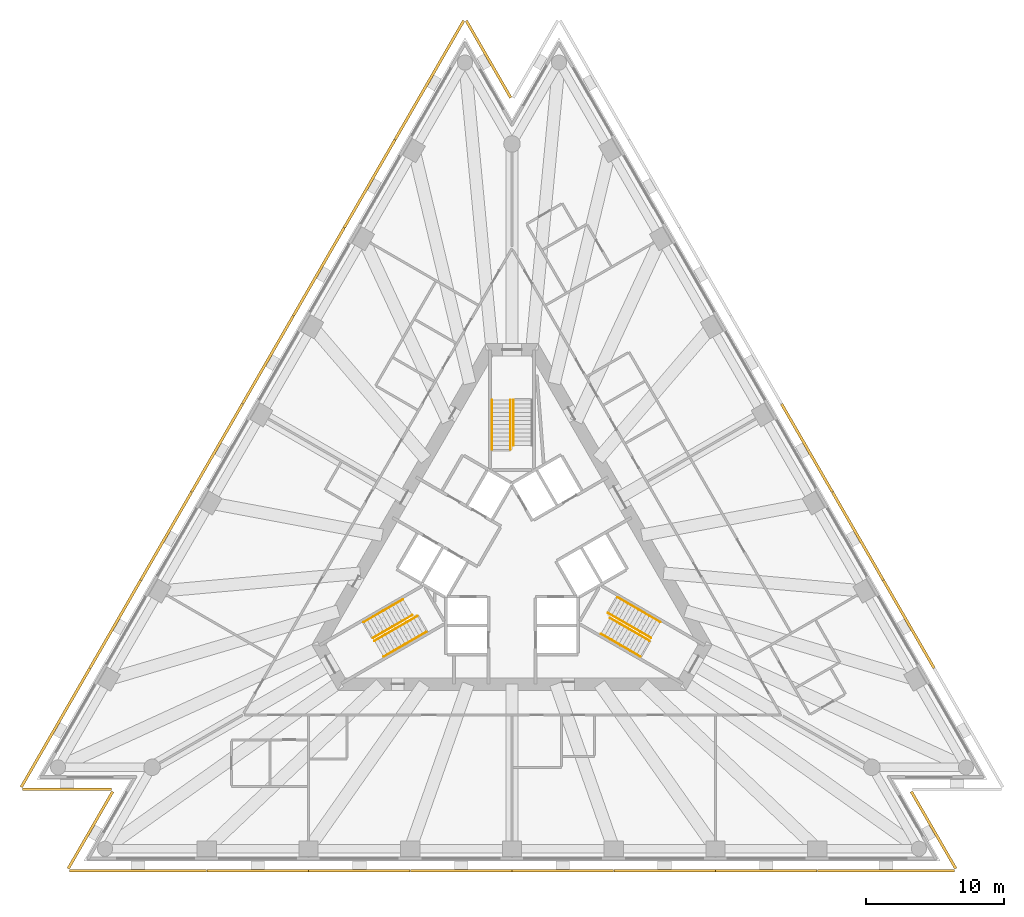
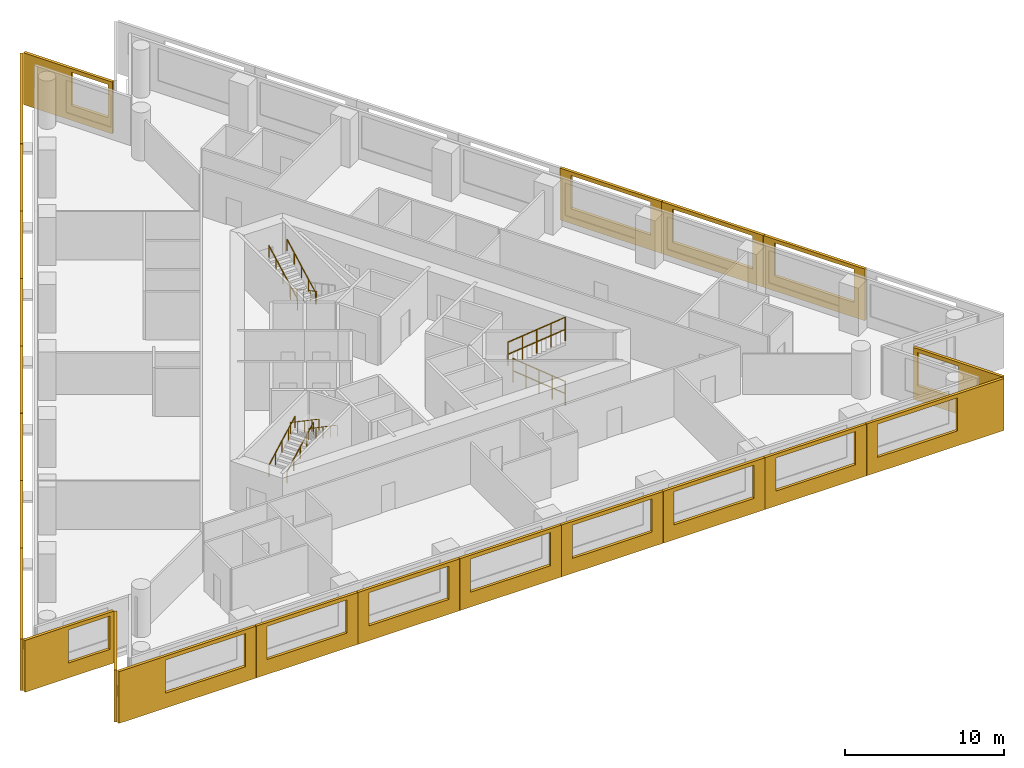
# One storey, part 10 of 11: 23 shading devices, 11 railings, 3 elements without a shape of their own.
"""IFC4 building model written with IfcOpenShell, lengths in metres."""

from ifc_helpers import new_model, si_unit, direction, frame, origin, origin_2d, place, context, subcontext, project, spatial, polyline, circle, outline, extrude, material, layer, layer_set, type_object, element, aggregate, save


model = new_model("IFC4")

# Units and contexts
model_context = context("Model", 3, precision=1e-05, world=origin(), true_north=direction((0.0, 1.0)))
body_context = subcontext(model_context, "Body", "Model", "MODEL_VIEW")
ifc_project = project(units=[si_unit("LENGTHUNIT", "METRE"), si_unit("AREAUNIT", "SQUARE_METRE"), si_unit("VOLUMEUNIT", "CUBIC_METRE"), si_unit("PLANEANGLEUNIT", "RADIAN"), si_unit("MASSUNIT", "GRAM", prefix="KILO")], contexts=[model_context])

# Site, building, storey
site_placement = place(None, origin())
site = spatial("IfcSite", under=ifc_project, at=site_placement, CompositionType="ELEMENT")
building_placement = place(site_placement, origin())
building = spatial("IfcBuilding", under=site, at=building_placement, Name="Triada Interchange Tower", CompositionType="ELEMENT")
storey_placement = place(building_placement, frame((0.0, 0.0, 63.300048828125)))
storey = spatial("IfcBuildingStorey", under=building, at=storey_placement, Name="L13", CompositionType="ELEMENT", Elevation=63.300048828125)

# Shading devices
ifc_material_1 = material(Name="Concrete C50/60 precast", Category="concrete")
ifc_layer_1 = layer(ifc_material_1, 0.02001953125, Name="Exposed aggregate face")
ifc_layer_2 = layer(ifc_material_1, 0.179931640625, Name="Precast concrete screen")
ifc_layer_set = layer_set([ifc_layer_1, ifc_layer_2], Name="Outer skin screen panel 3980")
shading_device_type = type_object("IfcShadingDeviceType", Name="Outer skin screen panel 3980", PredefinedType="SHUTTER", material=ifc_layer_set)
shading_device_1_placement = place(storey_placement, frame((-3.4208984375, 39.10400390625, -0.2900390625), z_axis=(0.0, 0.0, 1.0), x_axis=(-0.500018507784, -0.866014718047, 0.0)))
element("IfcShadingDevice", 1, at=shading_device_1_placement, inside=storey, type_object=shading_device_type, Name="Outer skin screen panel L13 01", PredefinedType="SHUTTER", context=body_context, shape_type="SweptSolid", body=[
    extrude(outline(polyline([(0.0, 0.0), (9.9697265625, 0.0), (9.9697265625, 3.97998046875), (0.0, 3.97998046875), (0.0, 0.0)]), holes=[polyline([(3.383544921875, 1.139892578125), (3.383544921875, 3.68994140625), (9.18359375, 3.68994140625), (9.18359375, 1.139892578125), (3.383544921875, 1.139892578125)])]), frame((0.0, 0.0, 0.0), z_axis=(0.0, -1.0, 0.0), x_axis=(1.0, 0.0, 0.0)), (0.0, 0.0, 1.0), 0.199951171875),
])
shading_device_2_placement = place(storey_placement, frame((-8.416015625, 30.452880859375, -0.2900390625), z_axis=(0.0, 0.0, 1.0), x_axis=(-0.500035896667, -0.866004677842, 0.0)))
element("IfcShadingDevice", 2, at=shading_device_2_placement, inside=storey, type_object=shading_device_type, Name="Outer skin screen panel L13 02", PredefinedType="SHUTTER", context=body_context, shape_type="SweptSolid", body=[
    extrude(outline(polyline([(0.0, 0.0), (7.37158203125, 0.0), (7.37158203125, 3.97998046875), (0.0, 3.97998046875), (0.0, 0.0)]), holes=[polyline([(0.785888671875, 1.139892578125), (0.785888671875, 3.68994140625), (6.585693359375, 3.68994140625), (6.585693359375, 1.139892578125), (0.785888671875, 1.139892578125)])]), frame((0.0, 0.0, 0.0), z_axis=(0.0, -1.0, 0.0), x_axis=(1.0, 0.0, 0.0)), (0.0, 0.0, 1.0), 0.199951171875),
])
shading_device_3_placement = place(storey_placement, frame((-12.112060546875, 24.052001953125, -0.2900390625), z_axis=(0.0, 0.0, 1.0), x_axis=(-0.500021555226, -0.866012958511, 0.0)))
element("IfcShadingDevice", 3, at=shading_device_3_placement, inside=storey, type_object=shading_device_type, Name="Outer skin screen panel L13 03", PredefinedType="SHUTTER", context=body_context, shape_type="SweptSolid", body=[
    extrude(outline(polyline([(0.0, 0.0), (7.371826171875, 0.0), (7.371826171875, 3.97998046875), (0.0, 3.97998046875), (0.0, 0.0)]), holes=[polyline([(0.7861328125, 1.139892578125), (0.7861328125, 3.68994140625), (6.586181640625, 3.68994140625), (6.586181640625, 1.139892578125), (0.7861328125, 1.139892578125)])]), frame((0.0, 0.0, 0.0), z_axis=(0.0, -1.0, 0.0), x_axis=(1.0, 0.0, 0.0)), (0.0, 0.0, 1.0), 0.199951171875),
])
shading_device_4_placement = place(storey_placement, frame((-15.80810546875, 17.64990234375, -0.2900390625), z_axis=(0.0, 0.0, 1.0), x_axis=(-0.500011057729, -0.866019019507, 0.0)))
element("IfcShadingDevice", 4, at=shading_device_4_placement, inside=storey, type_object=shading_device_type, Name="Outer skin screen panel L13 04", PredefinedType="SHUTTER", context=body_context, shape_type="SweptSolid", body=[
    extrude(outline(polyline([(0.0, 0.0), (7.371337890625, 0.0), (7.371337890625, 3.97998046875), (0.0, 3.97998046875), (0.0, 0.0)]), holes=[polyline([(0.785400390625, 1.139892578125), (0.785400390625, 3.68994140625), (6.58544921875, 3.68994140625), (6.58544921875, 1.139892578125), (0.785400390625, 1.139892578125)])]), frame((0.0, 0.0, 0.0), z_axis=(0.0, -1.0, 0.0), x_axis=(1.0, 0.0, 0.0)), (0.0, 0.0, 1.0), 0.199951171875),
])
shading_device_5_placement = place(storey_placement, frame((-19.50390625, 11.2490234375, -0.2900390625), z_axis=(0.0, 0.0, 1.0), x_axis=(-0.499922193019, -0.866070321006, 0.0)))
element("IfcShadingDevice", 5, at=shading_device_5_placement, inside=storey, type_object=shading_device_type, Name="Outer skin screen panel L13 05", PredefinedType="SHUTTER", context=body_context, shape_type="SweptSolid", body=[
    extrude(outline(polyline([(0.0, 0.0), (7.371337890625, 0.0), (7.371337890625, 3.97998046875), (0.0, 3.97998046875), (0.0, 0.0)]), holes=[polyline([(0.785888671875, 1.139892578125), (0.785888671875, 3.68994140625), (6.585693359375, 3.68994140625), (6.585693359375, 1.139892578125), (0.785888671875, 1.139892578125)])]), frame((0.0, 0.0, 0.0), z_axis=(0.0, -1.0, 0.0), x_axis=(1.0, 0.0, 0.0)), (0.0, 0.0, 1.0), 0.199951171875),
])
shading_device_6_placement = place(storey_placement, frame((-23.198974609375, 4.847900390625, -0.2900390625), z_axis=(0.0, 0.0, 1.0), x_axis=(-0.499964196315, -0.866046074065, 0.0)))
element("IfcShadingDevice", 6, at=shading_device_6_placement, inside=storey, type_object=shading_device_type, Name="Outer skin screen panel L13 06", PredefinedType="SHUTTER", context=body_context, shape_type="SweptSolid", body=[
    extrude(outline(polyline([(0.0, 0.0), (7.37255859375, 0.0), (7.37255859375, 3.97998046875), (0.0, 3.97998046875), (0.0, 0.0)]), holes=[polyline([(0.7861328125, 1.139892578125), (0.7861328125, 3.68994140625), (6.586181640625, 3.68994140625), (6.586181640625, 1.139892578125), (0.7861328125, 1.139892578125)])]), frame((0.0, 0.0, 0.0), z_axis=(0.0, -1.0, 0.0), x_axis=(1.0, 0.0, 0.0)), (0.0, 0.0, 1.0), 0.199951171875),
])
shading_device_7_placement = place(storey_placement, frame((-26.89501953125, -1.553955078125, -0.2900390625), z_axis=(0.0, 0.0, 1.0), x_axis=(-0.500021555226, -0.866012958511, 0.0)))
element("IfcShadingDevice", 7, at=shading_device_7_placement, inside=storey, type_object=shading_device_type, Name="Outer skin screen panel L13 07", PredefinedType="SHUTTER", context=body_context, shape_type="SweptSolid", body=[
    extrude(outline(polyline([(0.0, 0.0), (7.371826171875, 0.0), (7.371826171875, 3.97998046875), (0.0, 3.97998046875), (0.0, 0.0)]), holes=[polyline([(0.785400390625, 1.139892578125), (0.785400390625, 3.68994140625), (6.58544921875, 3.68994140625), (6.58544921875, 1.139892578125), (0.785400390625, 1.139892578125)])]), frame((0.0, 0.0, 0.0), z_axis=(0.0, -1.0, 0.0), x_axis=(1.0, 0.0, 0.0)), (0.0, 0.0, 1.0), 0.199951171875),
])
shading_device_8_placement = place(storey_placement, frame((-30.591064453125, -7.955078125, -0.2900390625), z_axis=(0.0, 0.0, 1.0), x_axis=(-0.500000141972, -0.866025321817, 0.0)))
element("IfcShadingDevice", 8, at=shading_device_8_placement, inside=storey, type_object=shading_device_type, Name="Outer skin screen panel L13 08", PredefinedType="SHUTTER", context=body_context, shape_type="SweptSolid", body=[
    extrude(outline(polyline([(0.0, 0.0), (9.9697265625, 0.0), (9.9697265625, 3.97998046875), (0.0, 3.97998046875), (0.0, 0.0)]), holes=[polyline([(0.78564453125, 1.139892578125), (0.78564453125, 3.68994140625), (6.585693359375, 3.68994140625), (6.585693359375, 1.139892578125), (0.78564453125, 1.139892578125)])]), frame((0.0, 0.0, 0.0), z_axis=(0.0, -1.0, 0.0), x_axis=(1.0, 0.0, 0.0)), (0.0, 0.0, 1.0), 0.199951171875),
])
shading_device_9_placement = place(storey_placement, frame((-35.571044921875, -16.597900390625, -0.2900390625), z_axis=(0.0, 0.0, 1.0), x_axis=(1.0, 0.0, 0.0)))
element("IfcShadingDevice", 9, at=shading_device_9_placement, inside=storey, type_object=shading_device_type, Name="Outer skin screen panel L13 09", PredefinedType="SHUTTER", context=body_context, shape_type="SweptSolid", body=[
    extrude(outline(polyline([(0.0, 0.0), (6.466064453125, 0.0), (6.466064453125, 3.97998046875), (0.0, 3.97998046875), (0.0, 0.0)]), holes=[polyline([(3.175048828125, 1.139892578125), (3.175048828125, 3.68994140625), (6.166015625, 3.68994140625), (6.166015625, 1.139892578125), (3.175048828125, 1.139892578125)])]), frame((0.0, 0.0, 0.0), z_axis=(0.0, -1.0, 0.0), x_axis=(1.0, 0.0, 0.0)), (0.0, 0.0, 1.0), 0.199951171875),
])
shading_device_10_placement = place(storey_placement, frame((-28.926025390625, -16.906982421875, -0.2900390625), z_axis=(0.0, 0.0, 1.0), x_axis=(-0.500029706002, -0.866008252337, 0.0)))
element("IfcShadingDevice", 10, at=shading_device_10_placement, inside=storey, type_object=shading_device_type, Name="Outer skin screen panel L13 10", PredefinedType="SHUTTER", context=body_context, shape_type="SweptSolid", body=[
    extrude(outline(polyline([(0.0, 0.0), (6.46533203125, 0.0), (6.46533203125, 3.97998046875), (0.0, 3.97998046875), (0.0, 0.0)]), holes=[polyline([(0.300048828125, 1.139892578125), (0.300048828125, 3.68994140625), (2.9580078125, 3.68994140625), (2.9580078125, 1.139892578125), (0.300048828125, 1.139892578125)])]), frame((0.0, 0.0, 0.0), z_axis=(0.0, -1.0, 0.0), x_axis=(1.0, 0.0, 0.0)), (0.0, 0.0, 1.0), 0.199951171875),
])
shading_device_11_placement = place(storey_placement, frame((-32.154052734375, -22.514892578125, -0.2900390625), z_axis=(0.0, 0.0, 1.0), x_axis=(1.0, 0.0, 0.0)))
element("IfcShadingDevice", 11, at=shading_device_11_placement, inside=storey, type_object=shading_device_type, Name="Outer skin screen panel L13 11", PredefinedType="SHUTTER", context=body_context, shape_type="SweptSolid", body=[
    extrude(outline(polyline([(0.0, 0.0), (9.969970703125, 0.0), (9.969970703125, 3.97998046875), (0.0, 3.97998046875), (0.0, 0.0)]), holes=[polyline([(3.384033203125, 1.139892578125), (3.384033203125, 3.68994140625), (9.18408203125, 3.68994140625), (9.18408203125, 1.139892578125), (3.384033203125, 1.139892578125)])]), frame((0.0, 0.0, 0.0), z_axis=(0.0, -1.0, 0.0), x_axis=(1.0, 0.0, 0.0)), (0.0, 0.0, 1.0), 0.199951171875),
])
shading_device_12_placement = place(storey_placement, frame((-22.1640625, -22.514892578125, -0.2900390625), z_axis=(0.0, 0.0, 1.0), x_axis=(1.0, 0.0, 0.0)))
element("IfcShadingDevice", 12, at=shading_device_12_placement, inside=storey, type_object=shading_device_type, Name="Outer skin screen panel L13 12", PredefinedType="SHUTTER", context=body_context, shape_type="SweptSolid", body=[
    extrude(outline(polyline([(0.0, 0.0), (7.37109375, 0.0), (7.37109375, 3.97998046875), (0.0, 3.97998046875), (0.0, 0.0)]), holes=[polyline([(0.785400390625, 1.139892578125), (0.785400390625, 3.68994140625), (6.58544921875, 3.68994140625), (6.58544921875, 1.139892578125), (0.785400390625, 1.139892578125)])]), frame((0.0, 0.0, 0.0), z_axis=(0.0, -1.0, 0.0), x_axis=(1.0, 0.0, 0.0)), (0.0, 0.0, 1.0), 0.199951171875),
])
shading_device_13_placement = place(storey_placement, frame((-14.77294921875, -22.514892578125, -0.2900390625), z_axis=(0.0, 0.0, 1.0), x_axis=(1.0, 0.0, 0.0)))
element("IfcShadingDevice", 13, at=shading_device_13_placement, inside=storey, type_object=shading_device_type, Name="Outer skin screen panel L13 13", PredefinedType="SHUTTER", context=body_context, shape_type="SweptSolid", body=[
    extrude(outline(polyline([(0.0, 0.0), (7.370849609375, 0.0), (7.370849609375, 3.97998046875), (0.0, 3.97998046875), (0.0, 0.0)]), holes=[polyline([(0.785888671875, 1.139892578125), (0.785888671875, 3.68994140625), (6.5859375, 3.68994140625), (6.5859375, 1.139892578125), (0.785888671875, 1.139892578125)])]), frame((0.0, 0.0, 0.0), z_axis=(0.0, -1.0, 0.0), x_axis=(1.0, 0.0, 0.0)), (0.0, 0.0, 1.0), 0.199951171875),
])
shading_device_14_placement = place(storey_placement, frame((-7.381103515625, -22.514892578125, -0.2900390625), z_axis=(0.0, 0.0, 1.0), x_axis=(1.0, 0.0, 0.0)))
element("IfcShadingDevice", 14, at=shading_device_14_placement, inside=storey, type_object=shading_device_type, Name="Outer skin screen panel L13 14", PredefinedType="SHUTTER", context=body_context, shape_type="SweptSolid", body=[
    extrude(outline(polyline([(0.0, 0.0), (7.37109375, 0.0), (7.37109375, 3.97998046875), (0.0, 3.97998046875), (0.0, 0.0)]), holes=[polyline([(0.785400390625, 1.139892578125), (0.785400390625, 3.68994140625), (6.58544921875, 3.68994140625), (6.58544921875, 1.139892578125), (0.785400390625, 1.139892578125)])]), frame((0.0, 0.0, 0.0), z_axis=(0.0, -1.0, 0.0), x_axis=(1.0, 0.0, 0.0)), (0.0, 0.0, 1.0), 0.199951171875),
])
shading_device_15_placement = place(storey_placement, frame((0.010009765625, -22.514892578125, -0.2900390625), z_axis=(0.0, 0.0, 1.0), x_axis=(1.0, 0.0, 0.0)))
element("IfcShadingDevice", 15, at=shading_device_15_placement, inside=storey, type_object=shading_device_type, Name="Outer skin screen panel L13 15", PredefinedType="SHUTTER", context=body_context, shape_type="SweptSolid", body=[
    extrude(outline(polyline([(0.0, 0.0), (7.37109375, 0.0), (7.37109375, 3.97998046875), (0.0, 3.97998046875), (0.0, 0.0)]), holes=[polyline([(0.785888671875, 1.139892578125), (0.785888671875, 3.68994140625), (6.5859375, 3.68994140625), (6.5859375, 1.139892578125), (0.785888671875, 1.139892578125)])]), frame((0.0, 0.0, 0.0), z_axis=(0.0, -1.0, 0.0), x_axis=(1.0, 0.0, 0.0)), (0.0, 0.0, 1.0), 0.199951171875),
])
shading_device_16_placement = place(storey_placement, frame((7.40087890625, -22.514892578125, -0.2900390625), z_axis=(0.0, 0.0, 1.0), x_axis=(1.0, 0.0, 0.0)))
element("IfcShadingDevice", 16, at=shading_device_16_placement, inside=storey, type_object=shading_device_type, Name="Outer skin screen panel L13 16", PredefinedType="SHUTTER", context=body_context, shape_type="SweptSolid", body=[
    extrude(outline(polyline([(0.0, 0.0), (7.3720703125, 0.0), (7.3720703125, 3.97998046875), (0.0, 3.97998046875), (0.0, 0.0)]), holes=[polyline([(0.785400390625, 1.139892578125), (0.785400390625, 3.68994140625), (6.58544921875, 3.68994140625), (6.58544921875, 1.139892578125), (0.785400390625, 1.139892578125)])]), frame((0.0, 0.0, 0.0), z_axis=(0.0, -1.0, 0.0), x_axis=(1.0, 0.0, 0.0)), (0.0, 0.0, 1.0), 0.199951171875),
])
shading_device_17_placement = place(storey_placement, frame((14.79296875, -22.514892578125, -0.2900390625), z_axis=(0.0, 0.0, 1.0), x_axis=(1.0, 0.0, 0.0)))
element("IfcShadingDevice", 17, at=shading_device_17_placement, inside=storey, type_object=shading_device_type, Name="Outer skin screen panel L13 17", PredefinedType="SHUTTER", context=body_context, shape_type="SweptSolid", body=[
    extrude(outline(polyline([(0.0, 0.0), (7.37109375, 0.0), (7.37109375, 3.97998046875), (0.0, 3.97998046875), (0.0, 0.0)]), holes=[polyline([(0.785888671875, 1.139892578125), (0.785888671875, 3.68994140625), (6.5859375, 3.68994140625), (6.5859375, 1.139892578125), (0.785888671875, 1.139892578125)])]), frame((0.0, 0.0, 0.0), z_axis=(0.0, -1.0, 0.0), x_axis=(1.0, 0.0, 0.0)), (0.0, 0.0, 1.0), 0.199951171875),
])
shading_device_18_placement = place(storey_placement, frame((22.18408203125, -22.514892578125, -0.2900390625), z_axis=(0.0, 0.0, 1.0), x_axis=(1.0, 0.0, 0.0)))
element("IfcShadingDevice", 18, at=shading_device_18_placement, inside=storey, type_object=shading_device_type, Name="Outer skin screen panel L13 18", PredefinedType="SHUTTER", context=body_context, shape_type="SweptSolid", body=[
    extrude(outline(polyline([(0.0, 0.0), (9.969970703125, 0.0), (9.969970703125, 3.97998046875), (0.0, 3.97998046875), (0.0, 0.0)]), holes=[polyline([(0.785400390625, 1.139892578125), (0.785400390625, 3.68994140625), (6.58544921875, 3.68994140625), (6.58544921875, 1.139892578125), (0.785400390625, 1.139892578125)])]), frame((0.0, 0.0, 0.0), z_axis=(0.0, -1.0, 0.0), x_axis=(1.0, 0.0, 0.0)), (0.0, 0.0, 1.0), 0.199951171875),
])
shading_device_19_placement = place(storey_placement, frame((32.158935546875, -22.506103515625, -0.2900390625), z_axis=(0.0, 0.0, 1.0), x_axis=(-0.500029706002, 0.866008252337, 0.0)))
element("IfcShadingDevice", 19, at=shading_device_19_placement, inside=storey, type_object=shading_device_type, Name="Outer skin screen panel L13 19", PredefinedType="SHUTTER", context=body_context, shape_type="SweptSolid", body=[
    extrude(outline(polyline([(0.0, 0.0), (6.46533203125, 0.0), (6.46533203125, 3.97998046875), (0.0, 3.97998046875), (0.0, 0.0)]), holes=[polyline([(3.17529296875, 1.139892578125), (3.17529296875, 3.68994140625), (6.16552734375, 3.68994140625), (6.16552734375, 1.139892578125), (3.17529296875, 1.139892578125)])]), frame((0.0, 0.0, 0.0), z_axis=(0.0, -1.0, 0.0), x_axis=(1.0, 0.0, 0.0)), (0.0, 0.0, 1.0), 0.199951171875),
])
shading_device_20_placement = place(storey_placement, frame((30.5810546875, -7.93798828125, -0.2900390625), z_axis=(0.0, 0.0, 1.0), x_axis=(-0.500021555226, 0.866012958511, 0.0)))
element("IfcShadingDevice", 20, at=shading_device_20_placement, inside=storey, type_object=shading_device_type, Name="Outer skin screen panel L13 22", PredefinedType="SHUTTER", context=body_context, shape_type="SweptSolid", body=[
    extrude(outline(polyline([(0.0, 0.0), (7.371826171875, 0.0), (7.371826171875, 3.97998046875), (0.0, 3.97998046875), (0.0, 0.0)]), holes=[polyline([(0.785400390625, 1.139892578125), (0.785400390625, 3.68994140625), (6.58544921875, 3.68994140625), (6.58544921875, 1.139892578125), (0.785400390625, 1.139892578125)])]), frame((0.0, 0.0, 0.0), z_axis=(0.0, -1.0, 0.0), x_axis=(1.0, 0.0, 0.0)), (0.0, 0.0, 1.0), 0.199951171875),
])
shading_device_21_placement = place(storey_placement, frame((26.885009765625, -1.537109375, -0.2900390625), z_axis=(0.0, 0.0, 1.0), x_axis=(-0.499964196315, 0.866046074065, 0.0)))
element("IfcShadingDevice", 21, at=shading_device_21_placement, inside=storey, type_object=shading_device_type, Name="Outer skin screen panel L13 23", PredefinedType="SHUTTER", context=body_context, shape_type="SweptSolid", body=[
    extrude(outline(polyline([(0.0, 0.0), (7.37255859375, 0.0), (7.37255859375, 3.97998046875), (0.0, 3.97998046875), (0.0, 0.0)]), holes=[polyline([(0.785888671875, 1.139892578125), (0.785888671875, 3.68994140625), (6.585693359375, 3.68994140625), (6.585693359375, 1.139892578125), (0.785888671875, 1.139892578125)])]), frame((0.0, 0.0, 0.0), z_axis=(0.0, -1.0, 0.0), x_axis=(1.0, 0.0, 0.0)), (0.0, 0.0, 1.0), 0.199951171875),
])
shading_device_22_placement = place(storey_placement, frame((23.18896484375, 4.864990234375, -0.2900390625), z_axis=(0.0, 0.0, 1.0), x_axis=(-0.499922193019, 0.866070321006, 0.0)))
element("IfcShadingDevice", 22, at=shading_device_22_placement, inside=storey, type_object=shading_device_type, Name="Outer skin screen panel L13 24", PredefinedType="SHUTTER", context=body_context, shape_type="SweptSolid", body=[
    extrude(outline(polyline([(0.0, 0.0), (7.371337890625, 0.0), (7.371337890625, 3.97998046875), (0.0, 3.97998046875), (0.0, 0.0)]), holes=[polyline([(0.7861328125, 1.139892578125), (0.7861328125, 3.68994140625), (6.586181640625, 3.68994140625), (6.586181640625, 1.139892578125), (0.7861328125, 1.139892578125)])]), frame((0.0, 0.0, 0.0), z_axis=(0.0, -1.0, 0.0), x_axis=(1.0, 0.0, 0.0)), (0.0, 0.0, 1.0), 0.199951171875),
])
shading_device_23_placement = place(storey_placement, frame((-0.177978515625, 33.5048828125, -0.2900390625), z_axis=(0.0, 0.0, 1.0), x_axis=(-0.500029706002, 0.866008252337, 0.0)))
element("IfcShadingDevice", 23, at=shading_device_23_placement, inside=storey, type_object=shading_device_type, Name="Outer skin screen panel L13 30", PredefinedType="SHUTTER", context=body_context, shape_type="SweptSolid", body=[
    extrude(outline(polyline([(0.0, 0.0), (6.46533203125, 0.0), (6.46533203125, 3.97998046875), (0.0, 3.97998046875), (0.0, 0.0)]), holes=[polyline([(0.300048828125, 1.139892578125), (0.300048828125, 3.68994140625), (2.9580078125, 3.68994140625), (2.9580078125, 1.139892578125), (0.300048828125, 1.139892578125)])]), frame((0.0, 0.0, 0.0), z_axis=(0.0, -1.0, 0.0), x_axis=(1.0, 0.0, 0.0)), (0.0, 0.0, 1.0), 0.199951171875),
])

# Stair, railings
ifc_material_2 = material(Name="Concrete C35/45", Category="concrete")
stair_type = type_object("IfcStairType", Name="HALF TURN STAIR 1400", PredefinedType="HALF_TURN_STAIR", material=ifc_material_2)
stair_1_placement = place(storey_placement, origin())
stair_1 = element("IfcStair", 24, at=stair_1_placement, inside=storey, type_object=stair_type, Name="Exit stair S12-1", PredefinedType="HALF_TURN_STAIR")
ifc_material_3 = material(Name="Stainless steel 1.4301", Category="steel")
railing_type = type_object("IfcRailingType", Name="STAIR HANDRAIL 900", PredefinedType="HANDRAIL", material=ifc_material_3)
railing_1_placement = place(storey_placement, frame((0.1201171875, 11.60009765625, 0.159912109375)))
railing_1 = element("IfcRailing", 25, at=railing_1_placement, type_object=railing_type, Name="Handrail S12-1 1C", PredefinedType="HANDRAIL", context=body_context, shape_type="SweptSolid", body=[
    extrude(circle(Radius=0.02392578125, at=origin_2d()), frame((0.0, 0.0, 0.8759765625), z_axis=(0.0, -0.882354748157, 0.47058484719), x_axis=(1.0, 0.0, 0.0)), (0.0, 0.0, 1.0), 3.739990234375),
    extrude(circle(Radius=0.02099609375, at=origin_2d()), origin(), (0.0, 0.0, 1.0), 0.851806640625),
    extrude(circle(Radius=0.02099609375, at=origin_2d()), frame((0.0, -0.824951171875, 0.43994140625)), (0.0, 0.0, 1.0), 0.851806640625),
    extrude(circle(Radius=0.02099609375, at=origin_2d()), frame((0.0, -1.64990234375, 0.8798828125)), (0.0, 0.0, 1.0), 0.851806640625),
    extrude(circle(Radius=0.02099609375, at=origin_2d()), frame((0.0, -2.47509765625, 1.320068359375)), (0.0, 0.0, 1.0), 0.851806640625),
    extrude(circle(Radius=0.02099609375, at=origin_2d()), frame((0.0, -3.300048828125, 1.760009765625)), (0.0, 0.0, 1.0), 0.851806640625),
])
railing_2_placement = place(storey_placement, frame((-1.449951171875, 8.0, 2.079833984375)))
railing_2 = element("IfcRailing", 26, at=railing_2_placement, type_object=railing_type, Name="Handrail S12-1 2W", PredefinedType="HANDRAIL", context=body_context, shape_type="SweptSolid", body=[
    extrude(circle(Radius=0.02392578125, at=origin_2d()), frame((0.0, 0.0, 0.8759765625), z_axis=(0.0, 0.882341346394, 0.470609974867), x_axis=(-1.0, 0.0, 0.0)), (0.0, 0.0, 1.0), 4.080078125),
    extrude(circle(Radius=0.02099609375, at=origin_2d()), origin(), (0.0, 0.0, 1.0), 0.851806640625),
    extrude(circle(Radius=0.02099609375, at=origin_2d()), frame((0.0, 0.89990234375, 0.47998046875)), (0.0, 0.0, 1.0), 0.851806640625),
    extrude(circle(Radius=0.02099609375, at=origin_2d()), frame((0.0, 1.800048828125, 0.9599609375)), (0.0, 0.0, 1.0), 0.851806640625),
    extrude(circle(Radius=0.02099609375, at=origin_2d()), frame((0.0, 2.7001953125, 1.440185546875)), (0.0, 0.0, 1.0), 0.851806640625),
    extrude(circle(Radius=0.02099609375, at=origin_2d()), frame((0.0, 3.60009765625, 1.920166015625)), (0.0, 0.0, 1.0), 0.851806640625),
])
railing_3_placement = place(storey_placement, frame((-0.1201171875, 8.0, 2.079833984375)))
railing_3 = element("IfcRailing", 27, at=railing_3_placement, type_object=railing_type, Name="Handrail S12-1 2C", PredefinedType="HANDRAIL", context=body_context, shape_type="SweptSolid", body=[
    extrude(circle(Radius=0.02392578125, at=origin_2d()), frame((0.0, 0.0, 0.8759765625), z_axis=(0.0, 0.882341346394, 0.470609974867), x_axis=(-1.0, 0.0, 0.0)), (0.0, 0.0, 1.0), 4.080078125),
    extrude(circle(Radius=0.02099609375, at=origin_2d()), origin(), (0.0, 0.0, 1.0), 0.851806640625),
    extrude(circle(Radius=0.02099609375, at=origin_2d()), frame((0.0, 0.89990234375, 0.47998046875)), (0.0, 0.0, 1.0), 0.851806640625),
    extrude(circle(Radius=0.02099609375, at=origin_2d()), frame((0.0, 1.800048828125, 0.9599609375)), (0.0, 0.0, 1.0), 0.851806640625),
    extrude(circle(Radius=0.02099609375, at=origin_2d()), frame((0.0, 2.7001953125, 1.440185546875)), (0.0, 0.0, 1.0), 0.851806640625),
    extrude(circle(Radius=0.02099609375, at=origin_2d()), frame((0.0, 3.60009765625, 1.920166015625)), (0.0, 0.0, 1.0), 0.851806640625),
])
aggregate(stair_1, [railing_1, railing_2, railing_3])

stair_2_placement = place(storey_placement, origin())
stair_2 = element("IfcStair", 28, at=stair_2_placement, inside=storey, type_object=stair_type, Name="Exit stair S12-2", PredefinedType="HALF_TURN_STAIR")
railing_4_placement = place(storey_placement, frame((-10.77099609375, -4.5439453125, 0.159912109375)))
railing_4 = element("IfcRailing", 29, at=railing_4_placement, type_object=railing_type, Name="Handrail S12-2 1W", PredefinedType="HANDRAIL", context=body_context, shape_type="SweptSolid", body=[
    extrude(circle(Radius=0.02392578125, at=origin_2d()), frame((0.0, 0.0, 0.8759765625), z_axis=(0.764150854273, 0.441152526326, 0.470593158077), x_axis=(-0.499974350878, 0.866040211805, 0.0)), (0.0, 0.0, 1.0), 3.739990234375),
    extrude(circle(Radius=0.02099609375, at=origin_2d()), origin(), (0.0, 0.0, 1.0), 0.851806640625),
    extrude(circle(Radius=0.02099609375, at=origin_2d()), frame((0.71435546875, 0.41259765625, 0.43994140625)), (0.0, 0.0, 1.0), 0.851806640625),
    extrude(circle(Radius=0.02099609375, at=origin_2d()), frame((1.428955078125, 0.824951171875, 0.8798828125)), (0.0, 0.0, 1.0), 0.851806640625),
    extrude(circle(Radius=0.02099609375, at=origin_2d()), frame((2.1435546875, 1.2373046875, 1.320068359375)), (0.0, 0.0, 1.0), 0.851806640625),
    extrude(circle(Radius=0.02099609375, at=origin_2d()), frame((2.85791015625, 1.64990234375, 1.760009765625)), (0.0, 0.0, 1.0), 0.851806640625),
])
railing_5_placement = place(storey_placement, frame((-10.10595703125, -5.696044921875, 0.159912109375)))
railing_5 = element("IfcRailing", 30, at=railing_5_placement, type_object=railing_type, Name="Handrail S12-2 1C", PredefinedType="HANDRAIL", context=body_context, shape_type="SweptSolid", body=[
    extrude(circle(Radius=0.02392578125, at=origin_2d()), frame((0.0, 0.0, 0.8759765625), z_axis=(0.76412884773, 0.441205098395, 0.470579605611), x_axis=(-0.50002983664, 0.866008176907, 0.0)), (0.0, 0.0, 1.0), 3.739990234375),
    extrude(circle(Radius=0.02099609375, at=origin_2d()), origin(), (0.0, 0.0, 1.0), 0.851806640625),
    extrude(circle(Radius=0.02099609375, at=origin_2d()), frame((0.71435546875, 0.41259765625, 0.43994140625)), (0.0, 0.0, 1.0), 0.851806640625),
    extrude(circle(Radius=0.02099609375, at=origin_2d()), frame((1.428955078125, 0.8251953125, 0.8798828125)), (0.0, 0.0, 1.0), 0.851806640625),
    extrude(circle(Radius=0.02099609375, at=origin_2d()), frame((2.1435546875, 1.237548828125, 1.320068359375)), (0.0, 0.0, 1.0), 0.851806640625),
    extrude(circle(Radius=0.02099609375, at=origin_2d()), frame((2.85791015625, 1.650146484375, 1.760009765625)), (0.0, 0.0, 1.0), 0.851806640625),
])
railing_6_placement = place(storey_placement, frame((-6.202880859375, -5.256103515625, 2.079833984375)))
railing_6 = element("IfcRailing", 31, at=railing_6_placement, type_object=railing_type, Name="Handrail S12-2 2W", PredefinedType="HANDRAIL", context=body_context, shape_type="SweptSolid", body=[
    extrude(circle(Radius=0.02392578125, at=origin_2d()), frame((0.0, 0.0, 0.8759765625), z_axis=(-0.764189758314, -0.441090424232, 0.470588196769), x_axis=(0.499902469156, -0.866081705922, 0.0)), (0.0, 0.0, 1.0), 4.080322265625),
    extrude(circle(Radius=0.02099609375, at=origin_2d()), origin(), (0.0, 0.0, 1.0), 0.851806640625),
    extrude(circle(Radius=0.02099609375, at=origin_2d()), frame((-0.779541015625, -0.449951171875, 0.47998046875)), (0.0, 0.0, 1.0), 0.851806640625),
    extrude(circle(Radius=0.02099609375, at=origin_2d()), frame((-1.55908203125, -0.89990234375, 0.9599609375)), (0.0, 0.0, 1.0), 0.851806640625),
    extrude(circle(Radius=0.02099609375, at=origin_2d()), frame((-2.338623046875, -1.349853515625, 1.440185546875)), (0.0, 0.0, 1.0), 0.851806640625),
    extrude(circle(Radius=0.02099609375, at=origin_2d()), frame((-3.1181640625, -1.7998046875, 1.920166015625)), (0.0, 0.0, 1.0), 0.851806640625),
])
railing_7_placement = place(storey_placement, frame((-6.867919921875, -4.10400390625, 2.079833984375)))
railing_7 = element("IfcRailing", 32, at=railing_7_placement, type_object=railing_type, Name="Handrail S12-2 2C", PredefinedType="HANDRAIL", context=body_context, shape_type="SweptSolid", body=[
    extrude(circle(Radius=0.02392578125, at=origin_2d()), frame((0.0, 0.0, 0.8759765625), z_axis=(-0.764169589359, -0.441138614339, 0.470575776723), x_axis=(0.49995333141, -0.866052346231, 0.0)), (0.0, 0.0, 1.0), 4.08056640625),
    extrude(circle(Radius=0.02099609375, at=origin_2d()), origin(), (0.0, 0.0, 1.0), 0.851806640625),
    extrude(circle(Radius=0.02099609375, at=origin_2d()), frame((-0.779541015625, -0.449951171875, 0.47998046875)), (0.0, 0.0, 1.0), 0.851806640625),
    extrude(circle(Radius=0.02099609375, at=origin_2d()), frame((-1.55908203125, -0.89990234375, 0.9599609375)), (0.0, 0.0, 1.0), 0.851806640625),
    extrude(circle(Radius=0.02099609375, at=origin_2d()), frame((-2.338623046875, -1.35009765625, 1.440185546875)), (0.0, 0.0, 1.0), 0.851806640625),
    extrude(circle(Radius=0.02099609375, at=origin_2d()), frame((-3.1181640625, -1.800048828125, 1.920166015625)), (0.0, 0.0, 1.0), 0.851806640625),
])
aggregate(stair_2, [railing_4, railing_5, railing_6, railing_7])

stair_3_placement = place(storey_placement, origin())
stair_3 = element("IfcStair", 33, at=stair_3_placement, inside=storey, type_object=stair_type, Name="Exit stair S12-3", PredefinedType="HALF_TURN_STAIR")
railing_8_placement = place(storey_placement, frame((9.321044921875, -7.055908203125, 0.159912109375)))
railing_8 = element("IfcRailing", 34, at=railing_8_placement, type_object=railing_type, Name="Handrail S12-3 1W", PredefinedType="HANDRAIL", context=body_context, shape_type="SweptSolid", body=[
    extrude(circle(Radius=0.02392578125, at=origin_2d()), frame((0.0, 0.0, 0.8759765625), z_axis=(-0.764178012919, 0.441130521168, 0.470569684388), x_axis=(-0.499942318283, -0.866058703778, 0.0)), (0.0, 0.0, 1.0), 3.740234375),
    extrude(circle(Radius=0.02099609375, at=origin_2d()), origin(), (0.0, 0.0, 1.0), 0.851806640625),
    extrude(circle(Radius=0.02099609375, at=origin_2d()), frame((-0.714599609375, 0.41259765625, 0.43994140625)), (0.0, 0.0, 1.0), 0.851806640625),
    extrude(circle(Radius=0.02099609375, at=origin_2d()), frame((-1.42919921875, 0.824951171875, 0.8798828125)), (0.0, 0.0, 1.0), 0.851806640625),
    extrude(circle(Radius=0.02099609375, at=origin_2d()), frame((-2.1435546875, 1.2373046875, 1.320068359375)), (0.0, 0.0, 1.0), 0.851806640625),
    extrude(circle(Radius=0.02099609375, at=origin_2d()), frame((-2.858154296875, 1.64990234375, 1.760009765625)), (0.0, 0.0, 1.0), 0.851806640625),
])
railing_9_placement = place(storey_placement, frame((9.986083984375, -5.904052734375, 0.159912109375)))
railing_9 = element("IfcRailing", 35, at=railing_9_placement, type_object=railing_type, Name="Handrail S12-3 1C", PredefinedType="HANDRAIL", context=body_context, shape_type="SweptSolid", body=[
    extrude(circle(Radius=0.02392578125, at=origin_2d()), frame((0.0, 0.0, 0.8759765625), z_axis=(-0.764156007789, 0.441183091881, 0.47055613395), x_axis=(-0.49999780286, -0.8660266723, 0.0)), (0.0, 0.0, 1.0), 3.740234375),
    extrude(circle(Radius=0.02099609375, at=origin_2d()), origin(), (0.0, 0.0, 1.0), 0.851806640625),
    extrude(circle(Radius=0.02099609375, at=origin_2d()), frame((-0.714599609375, 0.41259765625, 0.43994140625)), (0.0, 0.0, 1.0), 0.851806640625),
    extrude(circle(Radius=0.02099609375, at=origin_2d()), frame((-1.42919921875, 0.8251953125, 0.8798828125)), (0.0, 0.0, 1.0), 0.851806640625),
    extrude(circle(Radius=0.02099609375, at=origin_2d()), frame((-2.1435546875, 1.237548828125, 1.320068359375)), (0.0, 0.0, 1.0), 0.851806640625),
    extrude(circle(Radius=0.02099609375, at=origin_2d()), frame((-2.858154296875, 1.650146484375, 1.760009765625)), (0.0, 0.0, 1.0), 0.851806640625),
])
railing_10_placement = place(storey_placement, frame((7.653076171875, -2.743896484375, 2.079833984375)))
railing_10 = element("IfcRailing", 36, at=railing_10_placement, type_object=railing_type, Name="Handrail S12-3 2W", PredefinedType="HANDRAIL", context=body_context, shape_type="SweptSolid", body=[
    extrude(circle(Radius=0.02392578125, at=origin_2d()), frame((0.0, 0.0, 0.8759765625), z_axis=(0.76414469501, -0.441158784458, 0.470597292793), x_axis=(0.499982693035, 0.866035395735, 0.0)), (0.0, 0.0, 1.0), 4.080322265625),
    extrude(circle(Radius=0.02099609375, at=origin_2d()), origin(), (0.0, 0.0, 1.0), 0.851806640625),
    extrude(circle(Radius=0.02099609375, at=origin_2d()), frame((0.779541015625, -0.449951171875, 0.47998046875)), (0.0, 0.0, 1.0), 0.851806640625),
    extrude(circle(Radius=0.02099609375, at=origin_2d()), frame((1.55908203125, -0.89990234375, 0.9599609375)), (0.0, 0.0, 1.0), 0.851806640625),
    extrude(circle(Radius=0.02099609375, at=origin_2d()), frame((2.33837890625, -1.35009765625, 1.440185546875)), (0.0, 0.0, 1.0), 0.851806640625),
    extrude(circle(Radius=0.02099609375, at=origin_2d()), frame((3.117919921875, -1.800048828125, 1.920166015625)), (0.0, 0.0, 1.0), 0.851806640625),
])
railing_11_placement = place(storey_placement, frame((6.988037109375, -3.89599609375, 2.079833984375)))
railing_11 = element("IfcRailing", 37, at=railing_11_placement, type_object=railing_type, Name="Handrail S12-3 2C", PredefinedType="HANDRAIL", context=body_context, shape_type="SweptSolid", body=[
    extrude(circle(Radius=0.02392578125, at=origin_2d()), frame((0.0, 0.0, 0.8759765625), z_axis=(0.76414469501, -0.441158784458, 0.470597292793), x_axis=(0.499982693035, 0.866035395735, 0.0)), (0.0, 0.0, 1.0), 4.080322265625),
    extrude(circle(Radius=0.02099609375, at=origin_2d()), origin(), (0.0, 0.0, 1.0), 0.851806640625),
    extrude(circle(Radius=0.02099609375, at=origin_2d()), frame((0.779541015625, -0.449951171875, 0.47998046875)), (0.0, 0.0, 1.0), 0.851806640625),
    extrude(circle(Radius=0.02099609375, at=origin_2d()), frame((1.55908203125, -0.89990234375, 0.9599609375)), (0.0, 0.0, 1.0), 0.851806640625),
    extrude(circle(Radius=0.02099609375, at=origin_2d()), frame((2.33837890625, -1.35009765625, 1.440185546875)), (0.0, 0.0, 1.0), 0.851806640625),
    extrude(circle(Radius=0.02099609375, at=origin_2d()), frame((3.117919921875, -1.800048828125, 1.920166015625)), (0.0, 0.0, 1.0), 0.851806640625),
])
aggregate(stair_3, [railing_8, railing_9, railing_10, railing_11])

save(model, "model.ifc")
